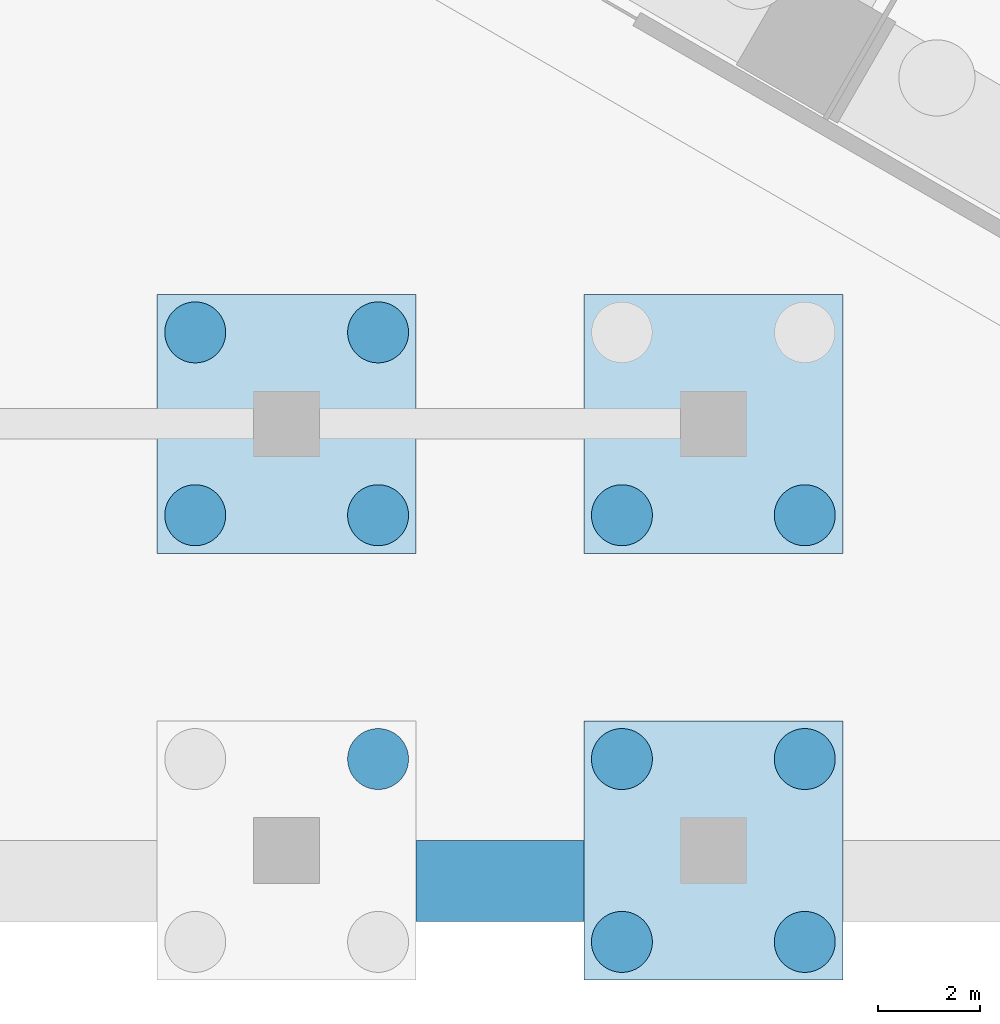
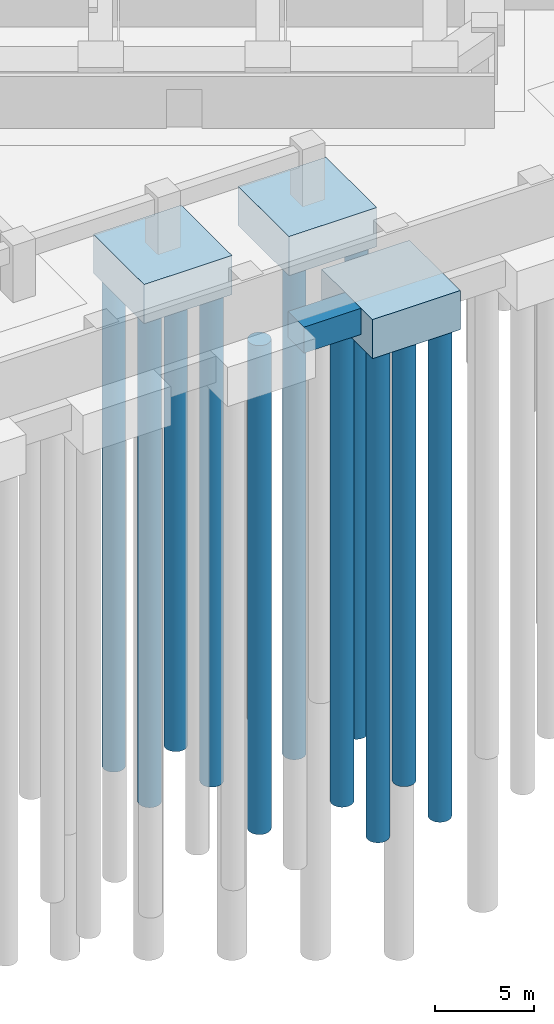
# One storey, part 20 of 73: 11 piles, 4 footings.
"""IFC4 building model written with IfcOpenShell, lengths in metres."""

from ifc_helpers import new_model, si_unit, direction, frame, origin, origin_2d, place, context, subcontext, project, spatial, polyline, circle, outline, extrude, material, material_profile, profile_set, type_object, element, save


model = new_model("IFC4")

# Units and contexts
model_context = context("Model", 3, precision=1e-05, world=origin(), true_north=direction((0.0, 1.0)))
body_context = subcontext(model_context, "Body", "Model", "MODEL_VIEW")
ifc_project = project(units=[si_unit("LENGTHUNIT", "METRE"), si_unit("AREAUNIT", "SQUARE_METRE"), si_unit("VOLUMEUNIT", "CUBIC_METRE"), si_unit("PLANEANGLEUNIT", "RADIAN"), si_unit("MASSUNIT", "GRAM", prefix="KILO")], contexts=[model_context])

# Site, building, storey
site_placement = place(None, origin())
site = spatial("IfcSite", under=ifc_project, at=site_placement, CompositionType="ELEMENT")
building_placement = place(site_placement, origin())
building = spatial("IfcBuilding", under=site, at=building_placement, Name="Impinga Residences", CompositionType="ELEMENT")
storey_placement = place(building_placement, frame((0.0, 0.0, -10.5)))
storey = spatial("IfcBuildingStorey", under=building, at=storey_placement, Name="B3", CompositionType="ELEMENT", Elevation=-10.5)

# Piles
ifc_material_1 = material(Name="Concrete C35/45", Category="concrete")
ifc_material_profile = material_profile(ifc_material_1, circle(Radius=0.60009765625, at=origin_2d()), Name="D1200")
ifc_profile_set = profile_set([ifc_material_profile], Name="Concrete C35/45")
pile_type = type_object("IfcPileType", Name="BP2 bored pile D1200", PredefinedType="BORED", material=ifc_profile_set)
pile_1_placement = place(storey_placement, frame((18.60009765625, -40.199951171875, -2.39990234375), z_axis=(0.0, 0.0, -1.0), x_axis=(1.0, 0.0, 0.0)))
element("IfcPile", 1, at=pile_1_placement, inside=storey, type_object=pile_type, Name="Cap pile BP2 9/A-3", PredefinedType="BORED", context=body_context, shape_type="SweptSolid", body=[
    extrude(outline(polyline([(0.60009765625, 0.0), (0.59716796875, 0.058837890625), (0.58837890625, 0.116943359375), (0.57421875, 0.174072265625), (0.554443359375, 0.2294921875), (0.529052734375, 0.282958984375), (0.498779296875, 0.333251953125), (0.4638671875, 0.380615234375), (0.42431640625, 0.42431640625), (0.380615234375, 0.4638671875), (0.333251953125, 0.498779296875), (0.282958984375, 0.529052734375), (0.2294921875, 0.554443359375), (0.174072265625, 0.57421875), (0.116943359375, 0.58837890625), (0.058837890625, 0.59716796875), (0.0, 0.60009765625), (-0.058837890625, 0.59716796875), (-0.116943359375, 0.58837890625), (-0.174072265625, 0.57421875), (-0.2294921875, 0.554443359375), (-0.282958984375, 0.529052734375), (-0.333251953125, 0.498779296875), (-0.380615234375, 0.4638671875), (-0.42431640625, 0.42431640625), (-0.4638671875, 0.380615234375), (-0.498779296875, 0.333251953125), (-0.529052734375, 0.282958984375), (-0.554443359375, 0.2294921875), (-0.57421875, 0.174072265625), (-0.58837890625, 0.116943359375), (-0.59716796875, 0.058837890625), (-0.60009765625, 0.0), (-0.59716796875, -0.058837890625), (-0.58837890625, -0.116943359375), (-0.57421875, -0.174072265625), (-0.554443359375, -0.2294921875), (-0.529052734375, -0.282958984375), (-0.498779296875, -0.333251953125), (-0.4638671875, -0.380615234375), (-0.42431640625, -0.42431640625), (-0.380615234375, -0.4638671875), (-0.333251953125, -0.498779296875), (-0.282958984375, -0.529052734375), (-0.2294921875, -0.554443359375), (-0.174072265625, -0.57421875), (-0.116943359375, -0.58837890625), (-0.058837890625, -0.59716796875), (0.0, -0.60009765625), (0.058837890625, -0.59716796875), (0.116943359375, -0.58837890625), (0.174072265625, -0.57421875), (0.2294921875, -0.554443359375), (0.282958984375, -0.529052734375), (0.333251953125, -0.498779296875), (0.380615234375, -0.4638671875), (0.42431640625, -0.42431640625), (0.4638671875, -0.380615234375), (0.498779296875, -0.333251953125), (0.529052734375, -0.282958984375), (0.554443359375, -0.2294921875), (0.57421875, -0.174072265625), (0.58837890625, -0.116943359375), (0.59716796875, -0.058837890625), (0.60009765625, 0.0)])), origin(), (0.0, 0.0, 1.0), 30.0),
])
pile_2_placement = place(storey_placement, frame((15.0, -35.39990234375, -2.39990234375), z_axis=(0.0, 0.0, -1.0), x_axis=(1.0, 0.0, 0.0)))
element("IfcPile", 2, at=pile_2_placement, inside=storey, type_object=pile_type, Name="Cap pile BP2 9/B-1", PredefinedType="BORED", context=body_context, shape_type="SweptSolid", body=[
    extrude(outline(polyline([(0.60009765625, 0.0), (0.59716796875, 0.058837890625), (0.58837890625, 0.116943359375), (0.57421875, 0.174072265625), (0.554443359375, 0.2294921875), (0.529052734375, 0.282958984375), (0.498779296875, 0.333251953125), (0.4638671875, 0.380615234375), (0.42431640625, 0.42431640625), (0.380615234375, 0.4638671875), (0.333251953125, 0.498779296875), (0.282958984375, 0.529052734375), (0.2294921875, 0.554443359375), (0.174072265625, 0.57421875), (0.116943359375, 0.58837890625), (0.058837890625, 0.59716796875), (0.0, 0.60009765625), (-0.058837890625, 0.59716796875), (-0.116943359375, 0.58837890625), (-0.174072265625, 0.57421875), (-0.2294921875, 0.554443359375), (-0.282958984375, 0.529052734375), (-0.333251953125, 0.498779296875), (-0.380615234375, 0.4638671875), (-0.42431640625, 0.42431640625), (-0.4638671875, 0.380615234375), (-0.498779296875, 0.333251953125), (-0.529052734375, 0.282958984375), (-0.554443359375, 0.2294921875), (-0.57421875, 0.174072265625), (-0.58837890625, 0.116943359375), (-0.59716796875, 0.058837890625), (-0.60009765625, 0.0), (-0.59716796875, -0.058837890625), (-0.58837890625, -0.116943359375), (-0.57421875, -0.174072265625), (-0.554443359375, -0.2294921875), (-0.529052734375, -0.282958984375), (-0.498779296875, -0.333251953125), (-0.4638671875, -0.380615234375), (-0.42431640625, -0.42431640625), (-0.380615234375, -0.4638671875), (-0.333251953125, -0.498779296875), (-0.282958984375, -0.529052734375), (-0.2294921875, -0.554443359375), (-0.174072265625, -0.57421875), (-0.116943359375, -0.58837890625), (-0.058837890625, -0.59716796875), (0.0, -0.60009765625), (0.058837890625, -0.59716796875), (0.116943359375, -0.58837890625), (0.174072265625, -0.57421875), (0.2294921875, -0.554443359375), (0.282958984375, -0.529052734375), (0.333251953125, -0.498779296875), (0.380615234375, -0.4638671875), (0.42431640625, -0.42431640625), (0.4638671875, -0.380615234375), (0.498779296875, -0.333251953125), (0.529052734375, -0.282958984375), (0.554443359375, -0.2294921875), (0.57421875, -0.174072265625), (0.58837890625, -0.116943359375), (0.59716796875, -0.058837890625), (0.60009765625, 0.0)])), origin(), (0.0, 0.0, 1.0), 30.0),
])
pile_3_placement = place(storey_placement, frame((18.60009765625, -35.39990234375, -2.39990234375), z_axis=(0.0, 0.0, -1.0), x_axis=(1.0, 0.0, 0.0)))
element("IfcPile", 3, at=pile_3_placement, inside=storey, type_object=pile_type, Name="Cap pile BP2 9/B-2", PredefinedType="BORED", context=body_context, shape_type="SweptSolid", body=[
    extrude(outline(polyline([(0.60009765625, 0.0), (0.59716796875, 0.058837890625), (0.58837890625, 0.116943359375), (0.57421875, 0.174072265625), (0.554443359375, 0.2294921875), (0.529052734375, 0.282958984375), (0.498779296875, 0.333251953125), (0.4638671875, 0.380615234375), (0.42431640625, 0.42431640625), (0.380615234375, 0.4638671875), (0.333251953125, 0.498779296875), (0.282958984375, 0.529052734375), (0.2294921875, 0.554443359375), (0.174072265625, 0.57421875), (0.116943359375, 0.58837890625), (0.058837890625, 0.59716796875), (0.0, 0.60009765625), (-0.058837890625, 0.59716796875), (-0.116943359375, 0.58837890625), (-0.174072265625, 0.57421875), (-0.2294921875, 0.554443359375), (-0.282958984375, 0.529052734375), (-0.333251953125, 0.498779296875), (-0.380615234375, 0.4638671875), (-0.42431640625, 0.42431640625), (-0.4638671875, 0.380615234375), (-0.498779296875, 0.333251953125), (-0.529052734375, 0.282958984375), (-0.554443359375, 0.2294921875), (-0.57421875, 0.174072265625), (-0.58837890625, 0.116943359375), (-0.59716796875, 0.058837890625), (-0.60009765625, 0.0), (-0.59716796875, -0.058837890625), (-0.58837890625, -0.116943359375), (-0.57421875, -0.174072265625), (-0.554443359375, -0.2294921875), (-0.529052734375, -0.282958984375), (-0.498779296875, -0.333251953125), (-0.4638671875, -0.380615234375), (-0.42431640625, -0.42431640625), (-0.380615234375, -0.4638671875), (-0.333251953125, -0.498779296875), (-0.282958984375, -0.529052734375), (-0.2294921875, -0.554443359375), (-0.174072265625, -0.57421875), (-0.116943359375, -0.58837890625), (-0.058837890625, -0.59716796875), (0.0, -0.60009765625), (0.058837890625, -0.59716796875), (0.116943359375, -0.58837890625), (0.174072265625, -0.57421875), (0.2294921875, -0.554443359375), (0.282958984375, -0.529052734375), (0.333251953125, -0.498779296875), (0.380615234375, -0.4638671875), (0.42431640625, -0.42431640625), (0.4638671875, -0.380615234375), (0.498779296875, -0.333251953125), (0.529052734375, -0.282958984375), (0.554443359375, -0.2294921875), (0.57421875, -0.174072265625), (0.58837890625, -0.116943359375), (0.59716796875, -0.058837890625), (0.60009765625, 0.0)])), origin(), (0.0, 0.0, 1.0), 30.0),
])
pile_4_placement = place(storey_placement, frame((18.60009765625, -31.800048828125, -2.39990234375), z_axis=(0.0, 0.0, -1.0), x_axis=(1.0, 0.0, 0.0)))
element("IfcPile", 4, at=pile_4_placement, inside=storey, type_object=pile_type, Name="Cap pile BP2 9/B-3", PredefinedType="BORED", context=body_context, shape_type="SweptSolid", body=[
    extrude(outline(polyline([(0.60009765625, 0.0), (0.59716796875, 0.058837890625), (0.58837890625, 0.116943359375), (0.57421875, 0.174072265625), (0.554443359375, 0.2294921875), (0.529052734375, 0.282958984375), (0.498779296875, 0.333251953125), (0.4638671875, 0.380615234375), (0.42431640625, 0.42431640625), (0.380615234375, 0.4638671875), (0.333251953125, 0.498779296875), (0.282958984375, 0.529052734375), (0.2294921875, 0.554443359375), (0.174072265625, 0.57421875), (0.116943359375, 0.58837890625), (0.058837890625, 0.59716796875), (0.0, 0.60009765625), (-0.058837890625, 0.59716796875), (-0.116943359375, 0.58837890625), (-0.174072265625, 0.57421875), (-0.2294921875, 0.554443359375), (-0.282958984375, 0.529052734375), (-0.333251953125, 0.498779296875), (-0.380615234375, 0.4638671875), (-0.42431640625, 0.42431640625), (-0.4638671875, 0.380615234375), (-0.498779296875, 0.333251953125), (-0.529052734375, 0.282958984375), (-0.554443359375, 0.2294921875), (-0.57421875, 0.174072265625), (-0.58837890625, 0.116943359375), (-0.59716796875, 0.058837890625), (-0.60009765625, 0.0), (-0.59716796875, -0.058837890625), (-0.58837890625, -0.116943359375), (-0.57421875, -0.174072265625), (-0.554443359375, -0.2294921875), (-0.529052734375, -0.282958984375), (-0.498779296875, -0.333251953125), (-0.4638671875, -0.380615234375), (-0.42431640625, -0.42431640625), (-0.380615234375, -0.4638671875), (-0.333251953125, -0.498779296875), (-0.282958984375, -0.529052734375), (-0.2294921875, -0.554443359375), (-0.174072265625, -0.57421875), (-0.116943359375, -0.58837890625), (-0.058837890625, -0.59716796875), (0.0, -0.60009765625), (0.058837890625, -0.59716796875), (0.116943359375, -0.58837890625), (0.174072265625, -0.57421875), (0.2294921875, -0.554443359375), (0.282958984375, -0.529052734375), (0.333251953125, -0.498779296875), (0.380615234375, -0.4638671875), (0.42431640625, -0.42431640625), (0.4638671875, -0.380615234375), (0.498779296875, -0.333251953125), (0.529052734375, -0.282958984375), (0.554443359375, -0.2294921875), (0.57421875, -0.174072265625), (0.58837890625, -0.116943359375), (0.59716796875, -0.058837890625), (0.60009765625, 0.0)])), origin(), (0.0, 0.0, 1.0), 30.0),
])
pile_5_placement = place(storey_placement, frame((15.0, -31.800048828125, -2.39990234375), z_axis=(0.0, 0.0, -1.0), x_axis=(1.0, 0.0, 0.0)))
element("IfcPile", 5, at=pile_5_placement, inside=storey, type_object=pile_type, Name="Cap pile BP2 9/B-4", PredefinedType="BORED", context=body_context, shape_type="SweptSolid", body=[
    extrude(outline(polyline([(0.60009765625, 0.0), (0.59716796875, 0.058837890625), (0.58837890625, 0.116943359375), (0.57421875, 0.174072265625), (0.554443359375, 0.2294921875), (0.529052734375, 0.282958984375), (0.498779296875, 0.333251953125), (0.4638671875, 0.380615234375), (0.42431640625, 0.42431640625), (0.380615234375, 0.4638671875), (0.333251953125, 0.498779296875), (0.282958984375, 0.529052734375), (0.2294921875, 0.554443359375), (0.174072265625, 0.57421875), (0.116943359375, 0.58837890625), (0.058837890625, 0.59716796875), (0.0, 0.60009765625), (-0.058837890625, 0.59716796875), (-0.116943359375, 0.58837890625), (-0.174072265625, 0.57421875), (-0.2294921875, 0.554443359375), (-0.282958984375, 0.529052734375), (-0.333251953125, 0.498779296875), (-0.380615234375, 0.4638671875), (-0.42431640625, 0.42431640625), (-0.4638671875, 0.380615234375), (-0.498779296875, 0.333251953125), (-0.529052734375, 0.282958984375), (-0.554443359375, 0.2294921875), (-0.57421875, 0.174072265625), (-0.58837890625, 0.116943359375), (-0.59716796875, 0.058837890625), (-0.60009765625, 0.0), (-0.59716796875, -0.058837890625), (-0.58837890625, -0.116943359375), (-0.57421875, -0.174072265625), (-0.554443359375, -0.2294921875), (-0.529052734375, -0.282958984375), (-0.498779296875, -0.333251953125), (-0.4638671875, -0.380615234375), (-0.42431640625, -0.42431640625), (-0.380615234375, -0.4638671875), (-0.333251953125, -0.498779296875), (-0.282958984375, -0.529052734375), (-0.2294921875, -0.554443359375), (-0.174072265625, -0.57421875), (-0.116943359375, -0.58837890625), (-0.058837890625, -0.59716796875), (0.0, -0.60009765625), (0.058837890625, -0.59716796875), (0.116943359375, -0.58837890625), (0.174072265625, -0.57421875), (0.2294921875, -0.554443359375), (0.282958984375, -0.529052734375), (0.333251953125, -0.498779296875), (0.380615234375, -0.4638671875), (0.42431640625, -0.42431640625), (0.4638671875, -0.380615234375), (0.498779296875, -0.333251953125), (0.529052734375, -0.282958984375), (0.554443359375, -0.2294921875), (0.57421875, -0.174072265625), (0.58837890625, -0.116943359375), (0.59716796875, -0.058837890625), (0.60009765625, 0.0)])), origin(), (0.0, 0.0, 1.0), 30.0),
])
pile_6_placement = place(storey_placement, frame((23.39990234375, -43.800048828125, -2.39990234375), z_axis=(0.0, 0.0, -1.0), x_axis=(1.0, 0.0, 0.0)))
element("IfcPile", 6, at=pile_6_placement, inside=storey, type_object=pile_type, Name="Cap pile BP2 10/A-1", PredefinedType="BORED", context=body_context, shape_type="SweptSolid", body=[
    extrude(outline(polyline([(0.60009765625, 0.0), (0.59716796875, 0.058837890625), (0.58837890625, 0.116943359375), (0.57421875, 0.174072265625), (0.554443359375, 0.2294921875), (0.529052734375, 0.282958984375), (0.498779296875, 0.333251953125), (0.4638671875, 0.380615234375), (0.42431640625, 0.42431640625), (0.380615234375, 0.4638671875), (0.333251953125, 0.498779296875), (0.282958984375, 0.529052734375), (0.2294921875, 0.554443359375), (0.174072265625, 0.57421875), (0.116943359375, 0.58837890625), (0.058837890625, 0.59716796875), (0.0, 0.60009765625), (-0.058837890625, 0.59716796875), (-0.116943359375, 0.58837890625), (-0.174072265625, 0.57421875), (-0.2294921875, 0.554443359375), (-0.282958984375, 0.529052734375), (-0.333251953125, 0.498779296875), (-0.380615234375, 0.4638671875), (-0.42431640625, 0.42431640625), (-0.4638671875, 0.380615234375), (-0.498779296875, 0.333251953125), (-0.529052734375, 0.282958984375), (-0.554443359375, 0.2294921875), (-0.57421875, 0.174072265625), (-0.58837890625, 0.116943359375), (-0.59716796875, 0.058837890625), (-0.60009765625, 0.0), (-0.59716796875, -0.058837890625), (-0.58837890625, -0.116943359375), (-0.57421875, -0.174072265625), (-0.554443359375, -0.2294921875), (-0.529052734375, -0.282958984375), (-0.498779296875, -0.333251953125), (-0.4638671875, -0.380615234375), (-0.42431640625, -0.42431640625), (-0.380615234375, -0.4638671875), (-0.333251953125, -0.498779296875), (-0.282958984375, -0.529052734375), (-0.2294921875, -0.554443359375), (-0.174072265625, -0.57421875), (-0.116943359375, -0.58837890625), (-0.058837890625, -0.59716796875), (0.0, -0.60009765625), (0.058837890625, -0.59716796875), (0.116943359375, -0.58837890625), (0.174072265625, -0.57421875), (0.2294921875, -0.554443359375), (0.282958984375, -0.529052734375), (0.333251953125, -0.498779296875), (0.380615234375, -0.4638671875), (0.42431640625, -0.42431640625), (0.4638671875, -0.380615234375), (0.498779296875, -0.333251953125), (0.529052734375, -0.282958984375), (0.554443359375, -0.2294921875), (0.57421875, -0.174072265625), (0.58837890625, -0.116943359375), (0.59716796875, -0.058837890625), (0.60009765625, 0.0)])), origin(), (0.0, 0.0, 1.0), 30.0),
])
pile_7_placement = place(storey_placement, frame((27.0, -43.800048828125, -2.39990234375), z_axis=(0.0, 0.0, -1.0), x_axis=(1.0, 0.0, 0.0)))
element("IfcPile", 7, at=pile_7_placement, inside=storey, type_object=pile_type, Name="Cap pile BP2 10/A-2", PredefinedType="BORED", context=body_context, shape_type="SweptSolid", body=[
    extrude(outline(polyline([(0.60009765625, 0.0), (0.59716796875, 0.058837890625), (0.58837890625, 0.116943359375), (0.57421875, 0.174072265625), (0.554443359375, 0.2294921875), (0.529052734375, 0.282958984375), (0.498779296875, 0.333251953125), (0.4638671875, 0.380615234375), (0.42431640625, 0.42431640625), (0.380615234375, 0.4638671875), (0.333251953125, 0.498779296875), (0.282958984375, 0.529052734375), (0.2294921875, 0.554443359375), (0.174072265625, 0.57421875), (0.116943359375, 0.58837890625), (0.058837890625, 0.59716796875), (0.0, 0.60009765625), (-0.058837890625, 0.59716796875), (-0.116943359375, 0.58837890625), (-0.174072265625, 0.57421875), (-0.2294921875, 0.554443359375), (-0.282958984375, 0.529052734375), (-0.333251953125, 0.498779296875), (-0.380615234375, 0.4638671875), (-0.42431640625, 0.42431640625), (-0.4638671875, 0.380615234375), (-0.498779296875, 0.333251953125), (-0.529052734375, 0.282958984375), (-0.554443359375, 0.2294921875), (-0.57421875, 0.174072265625), (-0.58837890625, 0.116943359375), (-0.59716796875, 0.058837890625), (-0.60009765625, 0.0), (-0.59716796875, -0.058837890625), (-0.58837890625, -0.116943359375), (-0.57421875, -0.174072265625), (-0.554443359375, -0.2294921875), (-0.529052734375, -0.282958984375), (-0.498779296875, -0.333251953125), (-0.4638671875, -0.380615234375), (-0.42431640625, -0.42431640625), (-0.380615234375, -0.4638671875), (-0.333251953125, -0.498779296875), (-0.282958984375, -0.529052734375), (-0.2294921875, -0.554443359375), (-0.174072265625, -0.57421875), (-0.116943359375, -0.58837890625), (-0.058837890625, -0.59716796875), (0.0, -0.60009765625), (0.058837890625, -0.59716796875), (0.116943359375, -0.58837890625), (0.174072265625, -0.57421875), (0.2294921875, -0.554443359375), (0.282958984375, -0.529052734375), (0.333251953125, -0.498779296875), (0.380615234375, -0.4638671875), (0.42431640625, -0.42431640625), (0.4638671875, -0.380615234375), (0.498779296875, -0.333251953125), (0.529052734375, -0.282958984375), (0.554443359375, -0.2294921875), (0.57421875, -0.174072265625), (0.58837890625, -0.116943359375), (0.59716796875, -0.058837890625), (0.60009765625, 0.0)])), origin(), (0.0, 0.0, 1.0), 30.0),
])
pile_8_placement = place(storey_placement, frame((27.0, -40.199951171875, -2.39990234375), z_axis=(0.0, 0.0, -1.0), x_axis=(1.0, 0.0, 0.0)))
element("IfcPile", 8, at=pile_8_placement, inside=storey, type_object=pile_type, Name="Cap pile BP2 10/A-3", PredefinedType="BORED", context=body_context, shape_type="SweptSolid", body=[
    extrude(outline(polyline([(0.60009765625, 0.0), (0.59716796875, 0.058837890625), (0.58837890625, 0.116943359375), (0.57421875, 0.174072265625), (0.554443359375, 0.2294921875), (0.529052734375, 0.282958984375), (0.498779296875, 0.333251953125), (0.4638671875, 0.380615234375), (0.42431640625, 0.42431640625), (0.380615234375, 0.4638671875), (0.333251953125, 0.498779296875), (0.282958984375, 0.529052734375), (0.2294921875, 0.554443359375), (0.174072265625, 0.57421875), (0.116943359375, 0.58837890625), (0.058837890625, 0.59716796875), (0.0, 0.60009765625), (-0.058837890625, 0.59716796875), (-0.116943359375, 0.58837890625), (-0.174072265625, 0.57421875), (-0.2294921875, 0.554443359375), (-0.282958984375, 0.529052734375), (-0.333251953125, 0.498779296875), (-0.380615234375, 0.4638671875), (-0.42431640625, 0.42431640625), (-0.4638671875, 0.380615234375), (-0.498779296875, 0.333251953125), (-0.529052734375, 0.282958984375), (-0.554443359375, 0.2294921875), (-0.57421875, 0.174072265625), (-0.58837890625, 0.116943359375), (-0.59716796875, 0.058837890625), (-0.60009765625, 0.0), (-0.59716796875, -0.058837890625), (-0.58837890625, -0.116943359375), (-0.57421875, -0.174072265625), (-0.554443359375, -0.2294921875), (-0.529052734375, -0.282958984375), (-0.498779296875, -0.333251953125), (-0.4638671875, -0.380615234375), (-0.42431640625, -0.42431640625), (-0.380615234375, -0.4638671875), (-0.333251953125, -0.498779296875), (-0.282958984375, -0.529052734375), (-0.2294921875, -0.554443359375), (-0.174072265625, -0.57421875), (-0.116943359375, -0.58837890625), (-0.058837890625, -0.59716796875), (0.0, -0.60009765625), (0.058837890625, -0.59716796875), (0.116943359375, -0.58837890625), (0.174072265625, -0.57421875), (0.2294921875, -0.554443359375), (0.282958984375, -0.529052734375), (0.333251953125, -0.498779296875), (0.380615234375, -0.4638671875), (0.42431640625, -0.42431640625), (0.4638671875, -0.380615234375), (0.498779296875, -0.333251953125), (0.529052734375, -0.282958984375), (0.554443359375, -0.2294921875), (0.57421875, -0.174072265625), (0.58837890625, -0.116943359375), (0.59716796875, -0.058837890625), (0.60009765625, 0.0)])), origin(), (0.0, 0.0, 1.0), 30.0),
])
pile_9_placement = place(storey_placement, frame((23.39990234375, -40.199951171875, -2.39990234375), z_axis=(0.0, 0.0, -1.0), x_axis=(1.0, 0.0, 0.0)))
element("IfcPile", 9, at=pile_9_placement, inside=storey, type_object=pile_type, Name="Cap pile BP2 10/A-4", PredefinedType="BORED", context=body_context, shape_type="SweptSolid", body=[
    extrude(outline(polyline([(0.60009765625, 0.0), (0.59716796875, 0.058837890625), (0.58837890625, 0.116943359375), (0.57421875, 0.174072265625), (0.554443359375, 0.2294921875), (0.529052734375, 0.282958984375), (0.498779296875, 0.333251953125), (0.4638671875, 0.380615234375), (0.42431640625, 0.42431640625), (0.380615234375, 0.4638671875), (0.333251953125, 0.498779296875), (0.282958984375, 0.529052734375), (0.2294921875, 0.554443359375), (0.174072265625, 0.57421875), (0.116943359375, 0.58837890625), (0.058837890625, 0.59716796875), (0.0, 0.60009765625), (-0.058837890625, 0.59716796875), (-0.116943359375, 0.58837890625), (-0.174072265625, 0.57421875), (-0.2294921875, 0.554443359375), (-0.282958984375, 0.529052734375), (-0.333251953125, 0.498779296875), (-0.380615234375, 0.4638671875), (-0.42431640625, 0.42431640625), (-0.4638671875, 0.380615234375), (-0.498779296875, 0.333251953125), (-0.529052734375, 0.282958984375), (-0.554443359375, 0.2294921875), (-0.57421875, 0.174072265625), (-0.58837890625, 0.116943359375), (-0.59716796875, 0.058837890625), (-0.60009765625, 0.0), (-0.59716796875, -0.058837890625), (-0.58837890625, -0.116943359375), (-0.57421875, -0.174072265625), (-0.554443359375, -0.2294921875), (-0.529052734375, -0.282958984375), (-0.498779296875, -0.333251953125), (-0.4638671875, -0.380615234375), (-0.42431640625, -0.42431640625), (-0.380615234375, -0.4638671875), (-0.333251953125, -0.498779296875), (-0.282958984375, -0.529052734375), (-0.2294921875, -0.554443359375), (-0.174072265625, -0.57421875), (-0.116943359375, -0.58837890625), (-0.058837890625, -0.59716796875), (0.0, -0.60009765625), (0.058837890625, -0.59716796875), (0.116943359375, -0.58837890625), (0.174072265625, -0.57421875), (0.2294921875, -0.554443359375), (0.282958984375, -0.529052734375), (0.333251953125, -0.498779296875), (0.380615234375, -0.4638671875), (0.42431640625, -0.42431640625), (0.4638671875, -0.380615234375), (0.498779296875, -0.333251953125), (0.529052734375, -0.282958984375), (0.554443359375, -0.2294921875), (0.57421875, -0.174072265625), (0.58837890625, -0.116943359375), (0.59716796875, -0.058837890625), (0.60009765625, 0.0)])), origin(), (0.0, 0.0, 1.0), 30.0),
])
pile_10_placement = place(storey_placement, frame((23.39990234375, -35.39990234375, -2.39990234375), z_axis=(0.0, 0.0, -1.0), x_axis=(1.0, 0.0, 0.0)))
element("IfcPile", 10, at=pile_10_placement, inside=storey, type_object=pile_type, Name="Cap pile BP2 10/B-1", PredefinedType="BORED", context=body_context, shape_type="SweptSolid", body=[
    extrude(outline(polyline([(0.60009765625, 0.0), (0.59716796875, 0.058837890625), (0.58837890625, 0.116943359375), (0.57421875, 0.174072265625), (0.554443359375, 0.2294921875), (0.529052734375, 0.282958984375), (0.498779296875, 0.333251953125), (0.4638671875, 0.380615234375), (0.42431640625, 0.42431640625), (0.380615234375, 0.4638671875), (0.333251953125, 0.498779296875), (0.282958984375, 0.529052734375), (0.2294921875, 0.554443359375), (0.174072265625, 0.57421875), (0.116943359375, 0.58837890625), (0.058837890625, 0.59716796875), (0.0, 0.60009765625), (-0.058837890625, 0.59716796875), (-0.116943359375, 0.58837890625), (-0.174072265625, 0.57421875), (-0.2294921875, 0.554443359375), (-0.282958984375, 0.529052734375), (-0.333251953125, 0.498779296875), (-0.380615234375, 0.4638671875), (-0.42431640625, 0.42431640625), (-0.4638671875, 0.380615234375), (-0.498779296875, 0.333251953125), (-0.529052734375, 0.282958984375), (-0.554443359375, 0.2294921875), (-0.57421875, 0.174072265625), (-0.58837890625, 0.116943359375), (-0.59716796875, 0.058837890625), (-0.60009765625, 0.0), (-0.59716796875, -0.058837890625), (-0.58837890625, -0.116943359375), (-0.57421875, -0.174072265625), (-0.554443359375, -0.2294921875), (-0.529052734375, -0.282958984375), (-0.498779296875, -0.333251953125), (-0.4638671875, -0.380615234375), (-0.42431640625, -0.42431640625), (-0.380615234375, -0.4638671875), (-0.333251953125, -0.498779296875), (-0.282958984375, -0.529052734375), (-0.2294921875, -0.554443359375), (-0.174072265625, -0.57421875), (-0.116943359375, -0.58837890625), (-0.058837890625, -0.59716796875), (0.0, -0.60009765625), (0.058837890625, -0.59716796875), (0.116943359375, -0.58837890625), (0.174072265625, -0.57421875), (0.2294921875, -0.554443359375), (0.282958984375, -0.529052734375), (0.333251953125, -0.498779296875), (0.380615234375, -0.4638671875), (0.42431640625, -0.42431640625), (0.4638671875, -0.380615234375), (0.498779296875, -0.333251953125), (0.529052734375, -0.282958984375), (0.554443359375, -0.2294921875), (0.57421875, -0.174072265625), (0.58837890625, -0.116943359375), (0.59716796875, -0.058837890625), (0.60009765625, 0.0)])), origin(), (0.0, 0.0, 1.0), 30.0),
])
pile_11_placement = place(storey_placement, frame((27.0, -35.39990234375, -2.39990234375), z_axis=(0.0, 0.0, -1.0), x_axis=(1.0, 0.0, 0.0)))
element("IfcPile", 11, at=pile_11_placement, inside=storey, type_object=pile_type, Name="Cap pile BP2 10/B-2", PredefinedType="BORED", context=body_context, shape_type="SweptSolid", body=[
    extrude(outline(polyline([(0.60009765625, 0.0), (0.59716796875, 0.058837890625), (0.58837890625, 0.116943359375), (0.57421875, 0.174072265625), (0.554443359375, 0.2294921875), (0.529052734375, 0.282958984375), (0.498779296875, 0.333251953125), (0.4638671875, 0.380615234375), (0.42431640625, 0.42431640625), (0.380615234375, 0.4638671875), (0.333251953125, 0.498779296875), (0.282958984375, 0.529052734375), (0.2294921875, 0.554443359375), (0.174072265625, 0.57421875), (0.116943359375, 0.58837890625), (0.058837890625, 0.59716796875), (0.0, 0.60009765625), (-0.058837890625, 0.59716796875), (-0.116943359375, 0.58837890625), (-0.174072265625, 0.57421875), (-0.2294921875, 0.554443359375), (-0.282958984375, 0.529052734375), (-0.333251953125, 0.498779296875), (-0.380615234375, 0.4638671875), (-0.42431640625, 0.42431640625), (-0.4638671875, 0.380615234375), (-0.498779296875, 0.333251953125), (-0.529052734375, 0.282958984375), (-0.554443359375, 0.2294921875), (-0.57421875, 0.174072265625), (-0.58837890625, 0.116943359375), (-0.59716796875, 0.058837890625), (-0.60009765625, 0.0), (-0.59716796875, -0.058837890625), (-0.58837890625, -0.116943359375), (-0.57421875, -0.174072265625), (-0.554443359375, -0.2294921875), (-0.529052734375, -0.282958984375), (-0.498779296875, -0.333251953125), (-0.4638671875, -0.380615234375), (-0.42431640625, -0.42431640625), (-0.380615234375, -0.4638671875), (-0.333251953125, -0.498779296875), (-0.282958984375, -0.529052734375), (-0.2294921875, -0.554443359375), (-0.174072265625, -0.57421875), (-0.116943359375, -0.58837890625), (-0.058837890625, -0.59716796875), (0.0, -0.60009765625), (0.058837890625, -0.59716796875), (0.116943359375, -0.58837890625), (0.174072265625, -0.57421875), (0.2294921875, -0.554443359375), (0.282958984375, -0.529052734375), (0.333251953125, -0.498779296875), (0.380615234375, -0.4638671875), (0.42431640625, -0.42431640625), (0.4638671875, -0.380615234375), (0.498779296875, -0.333251953125), (0.529052734375, -0.282958984375), (0.554443359375, -0.2294921875), (0.57421875, -0.174072265625), (0.58837890625, -0.116943359375), (0.59716796875, -0.058837890625), (0.60009765625, 0.0)])), origin(), (0.0, 0.0, 1.0), 30.0),
])

# Footings
ifc_material_2 = material(Name="Concrete C45/55", Category="concrete")
footing_type_1 = type_object("IfcFootingType", Name="PC4 four-pile cap 5100 square 2400 deep", PredefinedType="PILE_CAP", material=ifc_material_2)
footing_1_placement = place(storey_placement, frame((0.0, 0.0, -2.39990234375)))
element("IfcFooting", 12, at=footing_1_placement, inside=storey, type_object=footing_type_1, Name="Pile cap PC4 9/B", PredefinedType="PILE_CAP", context=body_context, shape_type="SweptSolid", body=[
    extrude(outline(polyline([(19.35009765625, -36.14990234375), (19.35009765625, -31.050048828125), (14.25, -31.050048828125), (14.25, -36.14990234375), (19.35009765625, -36.14990234375)])), origin(), (0.0, 0.0, 1.0), 2.39990234375),
])
footing_2_placement = place(storey_placement, frame((0.0, 0.0, -2.39990234375)))
element("IfcFooting", 13, at=footing_2_placement, inside=storey, type_object=footing_type_1, Name="Pile cap PC4 10/A", PredefinedType="PILE_CAP", context=body_context, shape_type="SweptSolid", body=[
    extrude(outline(polyline([(27.75, -44.550048828125), (27.75, -39.449951171875), (22.64990234375, -39.449951171875), (22.64990234375, -44.550048828125), (27.75, -44.550048828125)])), origin(), (0.0, 0.0, 1.0), 2.39990234375),
])
footing_3_placement = place(storey_placement, frame((0.0, 0.0, -2.39990234375)))
element("IfcFooting", 14, at=footing_3_placement, inside=storey, type_object=footing_type_1, Name="Pile cap PC4 10/B", PredefinedType="PILE_CAP", context=body_context, shape_type="SweptSolid", body=[
    extrude(outline(polyline([(27.75, -36.14990234375), (27.75, -31.050048828125), (22.64990234375, -31.050048828125), (22.64990234375, -36.14990234375), (27.75, -36.14990234375)])), origin(), (0.0, 0.0, 1.0), 2.39990234375),
])
footing_type_2 = type_object("IfcFootingType", Name="SF1 strip footing 1600 wide 1600 deep", PredefinedType="STRIP_FOOTING", material=ifc_material_2)
footing_4_placement = place(storey_placement, frame((0.0, 0.0, -1.60009765625)))
element("IfcFooting", 15, at=footing_4_placement, inside=storey, type_object=footing_type_2, Name="Strip footing SF1 S 4", PredefinedType="STRIP_FOOTING", context=body_context, shape_type="SweptSolid", body=[
    extrude(outline(polyline([(19.35009765625, -43.39990234375), (19.35009765625, -41.800048828125), (22.64990234375, -41.800048828125), (22.64990234375, -43.39990234375), (19.35009765625, -43.39990234375)])), origin(), (0.0, 0.0, 1.0), 1.60009765625),
])

save(model, "model.ifc")
